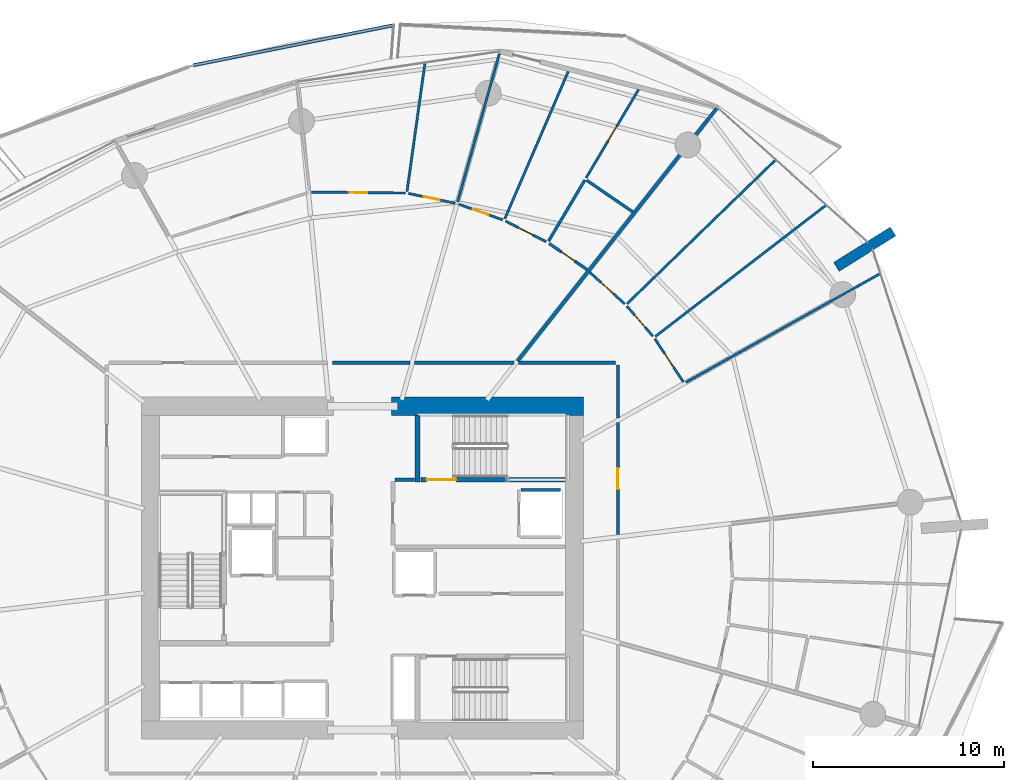
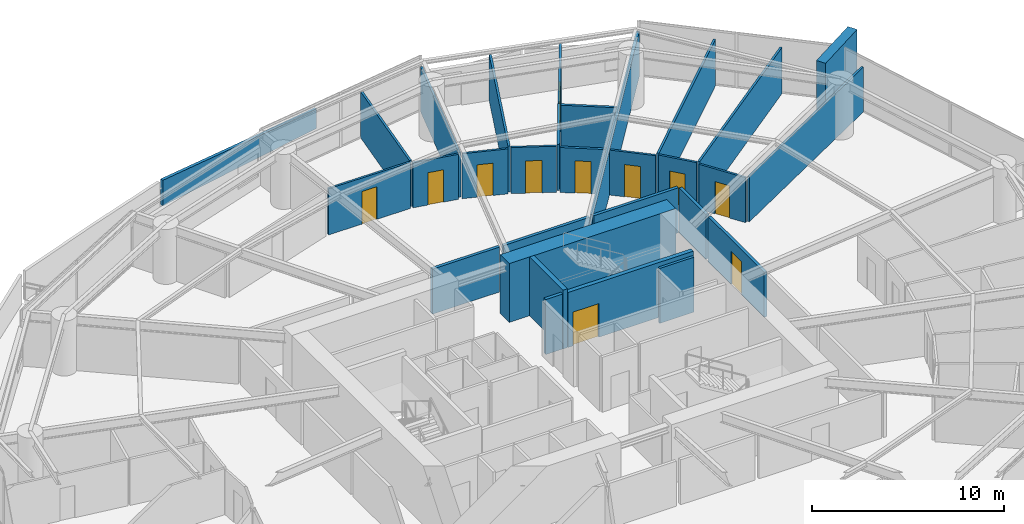
# One storey, part 23 of 31: 30 walls, 11 doors, 11 openings.
"""IFC4 building model written with IfcOpenShell, lengths in metres."""

from ifc_helpers import new_model, si_unit, direction, frame, frame_2d, origin, place, context, subcontext, project, spatial, polyline, rectangle, outline, extrude, material, layer, layer_set, type_object, element, fill, save


model = new_model("IFC4")

# Units and contexts
model_context = context("Model", 3, precision=1e-05, world=origin(), true_north=direction((0.0, 1.0)))
body_context = subcontext(model_context, "Body", "Model", "MODEL_VIEW")
ifc_project = project(units=[si_unit("LENGTHUNIT", "METRE"), si_unit("AREAUNIT", "SQUARE_METRE"), si_unit("VOLUMEUNIT", "CUBIC_METRE"), si_unit("PLANEANGLEUNIT", "RADIAN"), si_unit("MASSUNIT", "GRAM", prefix="KILO")], contexts=[model_context])

# Site, building, storey
site_placement = place(None, origin())
site = spatial("IfcSite", under=ifc_project, at=site_placement, CompositionType="ELEMENT")
building_placement = place(site_placement, origin())
building = spatial("IfcBuilding", under=site, at=building_placement, Name="Kazma Halo Residences", CompositionType="ELEMENT")
storey_placement = place(building_placement, frame((0.0, 0.0, 52.64990234375)))
storey = spatial("IfcBuildingStorey", under=building, at=storey_placement, Name="L12", CompositionType="ELEMENT", Elevation=52.64990234375)

# Walls
ifc_material_1 = material(Name="White Concrete C50/60 Balustrade", Category="concrete")
ifc_layer_1 = layer(ifc_material_1, 0.179931640625)
ifc_layer_set_1 = layer_set([ifc_layer_1], Name="White Concrete C50/60 Balustrade")
wall_type_1 = type_object("IfcWallType", Name="WL-BAL-WAVE-180", PredefinedType="PARAPET", material=ifc_layer_set_1)
wall_1_placement = place(storey_placement, frame((50.06201171875, 70.419921875, 0.0), z_axis=(0.0, 0.0, 1.0), x_axis=(-0.980527969077, -0.19637948431, 0.0)))
element("IfcWall", 1, at=wall_1_placement, inside=storey, type_object=wall_type_1, Name="L12 white wave balustrade wall NNW.1", PredefinedType="PARAPET", context=body_context, shape_type="SweptSolid", body=[
    extrude(outline(polyline([(0.0, 0.0), (10.696533203125, 0.0), (10.69677734375, 1.632080078125), (5.348388671875, 1.418212890625), (0.0, 1.233154296875), (0.0, 0.0)])), frame((0.0, 0.08984375, 0.0), z_axis=(0.0, -1.0, 0.0), x_axis=(1.0, 0.0, 0.0)), (0.0, 0.0, 1.0), 0.179931640625),
])
ifc_material_2 = material(Name="Pale Concrete C60/75", Category="concrete")
ifc_layer_2 = layer(ifc_material_2, 0.550048828125)
ifc_layer_set_2 = layer_set([ifc_layer_2], Name="Pale Concrete C60/75")
wall_type_2 = type_object("IfcWallType", Name="WL-BLADE-550", PredefinedType="SOLIDWALL", material=ifc_layer_set_2)
wall_2_placement = place(storey_placement, frame((73.229736328125, 57.765380859375, 0.0), z_axis=(0.0, 0.0, 1.0), x_axis=(0.848053161125, 0.529911158502, 0.0)))
element("IfcWall", 2, at=wall_2_placement, inside=storey, type_object=wall_type_2, Name="L12 pale concrete structural blade fin wall BW-01", PredefinedType="SOLIDWALL", context=body_context, shape_type="SweptSolid", body=[
    extrude(rectangle(XDim=3.5, YDim=0.550048828125, at=frame_2d((1.75, 0.0))), origin(), (0.0, 0.0, 1.0), 3.75),
])
ifc_material_3 = material(Name="Concrete C80/95", Category="concrete")
ifc_layer_3 = layer(ifc_material_3, 0.949951171875)
ifc_layer_set_3 = layer_set([ifc_layer_3], Name="Concrete C80/95")
wall_type_3 = type_object("IfcWallType", Name="WL-CORE-950", PredefinedType="SHEAR", material=ifc_layer_set_3)
wall_3_placement = place(storey_placement, frame((49.949951171875, 50.47509765625, 0.0), z_axis=(0.0, 0.0, 1.0), x_axis=(1.0, 0.0, 0.0)))
element("IfcWall", 3, at=wall_3_placement, inside=storey, type_object=wall_type_3, Name="L12 central core shear wall NE", PredefinedType="SHEAR", context=body_context, shape_type="SweptSolid", body=[
    extrude(rectangle(XDim=10.050048828125, YDim=0.949951171875, at=frame_2d((5.02490234375, 0.0))), origin(), (0.0, 0.0, 1.0), 3.75),
])
ifc_material_4 = material(Name="Concrete C60/75", Category="concrete")
ifc_layer_4 = layer(ifc_material_4, 0.280029296875)
ifc_layer_set_4 = layer_set([ifc_layer_4], Name="Concrete C60/75")
wall_type_4 = type_object("IfcWallType", Name="WL-CORE-ST-280", PredefinedType="SHEAR", material=ifc_layer_set_4)
wall_4_placement = place(storey_placement, frame((51.31005859375, 46.5, 0.0), z_axis=(0.0, 0.0, 1.0), x_axis=(0.0, 1.0, 0.0)))
element("IfcWall", 4, at=wall_4_placement, inside=storey, type_object=wall_type_4, Name="L12 stairwell bearing wall ST02-W", PredefinedType="SHEAR", context=body_context, shape_type="SweptSolid", body=[
    extrude(rectangle(XDim=3.5, YDim=0.280029296875, at=frame_2d((1.75, 0.0))), origin(), (0.0, 0.0, 1.0), 3.75),
])
ifc_material_5 = material(Name="Acoustic Twin-Stud Gypsum")
ifc_layer_5 = layer(ifc_material_5, 0.179931640625)
ifc_layer_set_5 = layer_set([ifc_layer_5], Name="Acoustic Twin-Stud Gypsum")
wall_type_5 = type_object("IfcWallType", Name="WL-DEM-180", PredefinedType="PARTITIONING", material=ifc_layer_set_5)
wall_5_placement = place(storey_placement, frame((56.542724609375, 52.83642578125, 0.0), z_axis=(0.0, 0.0, 1.0), x_axis=(0.619091569947, 0.785318806614, 0.0)))
element("IfcWall", 5, at=wall_5_placement, inside=storey, type_object=wall_type_5, Name="L12 apartment demising radial wall 01", PredefinedType="PARTITIONING", context=body_context, shape_type="SweptSolid", body=[
    extrude(rectangle(XDim=16.87548828125, YDim=0.179931640625, at=frame_2d((8.437744140625, 0.0))), origin(), (0.0, 0.0, 1.0), 2.8671875),
])
wall_6_placement = place(storey_placement, frame((56.3544921875, 52.75, 0.0), z_axis=(0.0, 0.0, 1.0), x_axis=(-1.0, 0.0, 0.0)))
element("IfcWall", 6, at=wall_6_placement, inside=storey, type_object=wall_type_5, Name="L12 Apartment 1 inner wall 1", PredefinedType="PARTITIONING", context=body_context, shape_type="SweptSolid", body=[
    extrude(rectangle(XDim=5.20263671875, YDim=0.179931640625, at=frame_2d((2.601318359375, 0.0))), origin(), (0.0, 0.0, 1.0), 2.8671875),
])
wall_7_placement = place(storey_placement, frame((50.911865234375, 52.75, 0.0), z_axis=(0.0, 0.0, 1.0), x_axis=(-1.0, 0.0, 0.0)))
element("IfcWall", 7, at=wall_7_placement, inside=storey, type_object=wall_type_5, Name="L12 Apartment 1 inner wall 2", PredefinedType="PARTITIONING", context=body_context, shape_type="SweptSolid", body=[
    extrude(rectangle(XDim=4.064208984375, YDim=0.179931640625, at=frame_2d((2.0322265625, 0.0))), origin(), (0.0, 0.0, 1.0), 2.8671875),
])

# Wall, opening, door
wall_8_placement = place(storey_placement, frame((61.800048828125, 43.75341796875, 0.0), z_axis=(0.0, 0.0, 1.0), x_axis=(0.0, 1.0, 0.0)))
wall_8 = element("IfcWall", 8, at=wall_8_placement, inside=storey, type_object=wall_type_5, Name="L12 Apartment 4 entrance corridor wall", PredefinedType="PARTITIONING", context=body_context, shape_type="SweptSolid", body=[
    extrude(rectangle(XDim=5.85498046875, YDim=0.179931640625, at=frame_2d((2.927490234375, 0.0))), origin(), (0.0, 0.0, 1.0), 2.8671875),
])
opening_1_placement = place(wall_8_placement, frame((2.377685546875, 0.0, 0.0)))
opening_1 = element("IfcOpeningElement", 9, at=opening_1_placement, cuts=wall_8, Name="Opening DA-1100", PredefinedType="OPENING", context=body_context, shape_type="SweptSolid", body=[
    extrude(rectangle(XDim=1.10009765625, YDim=2.10009765625, at=frame_2d((0.550048828125, 1.050048828125))), frame((0.0, 0.099853515625, 0.0), z_axis=(0.0, -1.0, 0.0), x_axis=(1.0, 0.0, 0.0)), (0.0, 0.0, 1.0), 0.199951171875),
])
ifc_material_6 = material(Name="Acoustic Walnut Fire Leaf")
door_type_1 = type_object("IfcDoorType", Name="DR-FD60-1100", OperationType="NOTDEFINED", PredefinedType="DOOR", material=ifc_material_6)
door_1_placement = place(opening_1_placement, origin())
door_1 = element("IfcDoor", 10, at=door_1_placement, inside=storey, type_object=door_type_1, Name="L12 Apartment 4 entrance fire door", OperationType="SINGLE_SWING_LEFT", OverallHeight=2.10009765625, OverallWidth=1.10009765625, PredefinedType="DOOR", context=body_context, shape_type="SweptSolid", body=[
    extrude(rectangle(XDim=1.10009765625, YDim=2.10009765625, at=frame_2d((0.550048828125, 1.050048828125))), frame((0.0, 0.02490234375, 0.0), z_axis=(0.0, -1.0, 0.0), x_axis=(1.0, 0.0, 0.0)), (0.0, 0.0, 1.0), 0.050048828125),
])
fill(opening_1, door_1)

# Walls
wall_9_placement = place(storey_placement, frame((61.800048828125, 49.848388671875, 0.0), z_axis=(0.0, 0.0, 1.0), x_axis=(0.0, 1.0, 0.0)))
element("IfcWall", 11, at=wall_9_placement, inside=storey, type_object=wall_type_5, Name="L12 Apartment 4 inner wall 0", PredefinedType="PARTITIONING", context=body_context, shape_type="SweptSolid", body=[
    extrude(rectangle(XDim=2.781494140625, YDim=0.179931640625, at=frame_2d((1.390625, 0.0))), origin(), (0.0, 0.0, 1.0), 2.8671875),
])
wall_10_placement = place(storey_placement, frame((61.679931640625, 52.75, 0.0), z_axis=(0.0, 0.0, 1.0), x_axis=(-1.0, 0.0, 0.0)))
element("IfcWall", 12, at=wall_10_placement, inside=storey, type_object=wall_type_5, Name="L12 Apartment 4 inner wall 0", PredefinedType="PARTITIONING", context=body_context, shape_type="SweptSolid", body=[
    extrude(rectangle(XDim=5.08544921875, YDim=0.179931640625, at=frame_2d((2.542724609375, 0.0))), origin(), (0.0, 0.0, 1.0), 2.8671875),
])
ifc_material_7 = material(Name="Fire-Rated Blockwork Masonry", Category="masonry")
ifc_layer_6 = layer(ifc_material_7, 0.199951171875)
ifc_layer_set_6 = layer_set([ifc_layer_6], Name="Fire-Rated Blockwork Masonry")
wall_type_6 = type_object("IfcWallType", Name="WL-FLB-200", PredefinedType="PARTITIONING", material=ifc_layer_set_6)
wall_11_placement = place(storey_placement, frame((56.719970703125, 46.080078125, 0.0), z_axis=(0.0, 0.0, 1.0), x_axis=(1.0, 0.0, 0.0)))
element("IfcWall", 13, at=wall_11_placement, inside=storey, type_object=wall_type_6, Name="L12 lift shaft FL-02 side wall N", PredefinedType="PARTITIONING", context=body_context, shape_type="SweptSolid", body=[
    extrude(rectangle(XDim=2.06005859375, YDim=0.159912109375, at=frame_2d((1.030029296875, 0.0))), origin(), (0.0, 0.0, 1.0), 3.5),
])
wall_12_placement = place(storey_placement, frame((50.139892578125, 46.6201171875, 0.0), z_axis=(0.0, 0.0, 1.0), x_axis=(1.0, 0.0, 0.0)))
element("IfcWall", 14, at=wall_12_placement, inside=storey, type_object=wall_type_6, Name="L12 east firefighting lobby north closure wall", PredefinedType="PARTITIONING", context=body_context, shape_type="SweptSolid", body=[
    extrude(rectangle(XDim=1.02001953125, YDim=0.199951171875, at=frame_2d((0.510009765625, 0.0))), origin(), (0.0, 0.0, 1.0), 3.5),
])

# Wall, opening, door
ifc_material_8 = material(Name="Gypsum Plasterboard Partition")
ifc_layer_7 = layer(ifc_material_8, 0.125)
ifc_layer_set_7 = layer_set([ifc_layer_7], Name="Gypsum Plasterboard Partition")
wall_type_7 = type_object("IfcWallType", Name="WL-PART-125", PredefinedType="PARTITIONING", material=ifc_layer_set_7)
wall_13_placement = place(storey_placement, frame((60.135009765625, 62.427490234375, 0.0), z_axis=(0.0, 0.0, 1.0), x_axis=(0.510709816394, 0.859753152619, 0.0)))
wall_13 = element("IfcWall", 15, at=wall_13_placement, inside=storey, type_object=wall_type_7, Name="L12 Apartment 1 Household Store Room partition wall", PredefinedType="PARTITIONING", context=body_context, shape_type="SweptSolid", body=[
    extrude(rectangle(XDim=5.37451171875, YDim=0.125, at=frame_2d((2.687255859375, 0.0))), origin(), (0.0, 0.0, 1.0), 2.940185546875),
])
opening_2_placement = place(wall_13_placement, frame((2.262451171875, 0.0, 0.0)))
opening_2 = element("IfcOpeningElement", 16, at=opening_2_placement, cuts=wall_13, Name="Opening DB-900", PredefinedType="OPENING", context=body_context, shape_type="SweptSolid", body=[
    extrude(rectangle(XDim=0.85009765625, YDim=2.06005859375, at=frame_2d((0.425048828125, 1.030029296875))), frame((0.0, 0.072509765625, 0.0), z_axis=(0.0, -1.0, 0.0), x_axis=(1.0, 0.0, 0.0)), (0.0, 0.0, 1.0), 0.14501953125),
])
ifc_material_9 = material(Name="Moisture-Sealed Timber Leaf", Category="wood")
door_type_2 = type_object("IfcDoorType", Name="DR-BTH-900", OperationType="NOTDEFINED", PredefinedType="DOOR", material=ifc_material_9)
door_2_placement = place(opening_2_placement, origin())
door_2 = element("IfcDoor", 17, at=door_2_placement, inside=storey, type_object=door_type_2, Name="L12 Apartment 1 Household Store Room door", OperationType="SINGLE_SWING_LEFT", OverallHeight=2.06005859375, OverallWidth=0.85009765625, PredefinedType="DOOR", context=body_context, shape_type="SweptSolid", body=[
    extrude(rectangle(XDim=0.85009765625, YDim=2.06005859375, at=frame_2d((0.425048828125, 1.030029296875))), frame((0.0, 0.02490234375, 0.0), z_axis=(0.0, -1.0, 0.0), x_axis=(1.0, 0.0, 0.0)), (0.0, 0.0, 1.0), 0.050048828125),
])
fill(opening_2, door_2)

# Wall
wall_14_placement = place(storey_placement, frame((55.877197265625, 60.285400390625, 0.0), z_axis=(0.0, 0.0, 1.0), x_axis=(0.395645788366, 0.918403184962, 0.0)))
element("IfcWall", 18, at=wall_14_placement, inside=storey, type_object=wall_type_7, Name="L12 Apartment 1 suite divider 1", PredefinedType="PARTITIONING", context=body_context, shape_type="SweptSolid", body=[
    extrude(rectangle(XDim=8.393310546875, YDim=0.125, at=frame_2d((4.19677734375, 0.0))), origin(), (0.0, 0.0, 1.0), 2.940185546875),
])

# Wall, opening, door
wall_15_placement = place(storey_placement, frame((58.04248046875, 59.0810546875, 0.0), z_axis=(0.0, 0.0, 1.0), x_axis=(-0.890948282324, 0.454104787712, 0.0)))
wall_15 = element("IfcWall", 19, at=wall_15_placement, inside=storey, type_object=wall_type_7, Name="L12 Apartment 1 Gourmet Kitchen hall wall", PredefinedType="PARTITIONING", context=body_context, shape_type="SweptSolid", body=[
    extrude(rectangle(XDim=2.390380859375, YDim=0.125, at=frame_2d((1.1953125, 0.0))), origin(), (0.0, 0.0, 1.0), 2.940185546875),
])
opening_3_placement = place(wall_15_placement, frame((0.77001953125, 0.0, 0.0)))
opening_3 = element("IfcOpeningElement", 20, at=opening_3_placement, cuts=wall_15, Name="Opening DB-900", PredefinedType="OPENING", context=body_context, shape_type="SweptSolid", body=[
    extrude(rectangle(XDim=0.85009765625, YDim=2.06005859375, at=frame_2d((0.425048828125, 1.030029296875))), frame((0.0, 0.072509765625, 0.0), z_axis=(0.0, -1.0, 0.0), x_axis=(1.0, 0.0, 0.0)), (0.0, 0.0, 1.0), 0.14501953125),
])
door_3_placement = place(opening_3_placement, origin())
door_3 = element("IfcDoor", 21, at=door_3_placement, inside=storey, type_object=door_type_2, Name="L12 Apartment 1 Gourmet Kitchen door", OperationType="SINGLE_SWING_RIGHT", OverallHeight=2.06005859375, OverallWidth=0.85009765625, PredefinedType="DOOR", context=body_context, shape_type="SweptSolid", body=[
    extrude(rectangle(XDim=0.85009765625, YDim=2.06005859375, at=frame_2d((0.425048828125, 1.030029296875))), frame((0.0, 0.02490234375, 0.0), z_axis=(0.0, -1.0, 0.0), x_axis=(1.0, 0.0, 0.0)), (0.0, 0.0, 1.0), 0.050048828125),
])
fill(opening_3, door_3)

wall_16_placement = place(storey_placement, frame((55.76611328125, 60.2294921875, 0.0), z_axis=(0.0, 0.0, 1.0), x_axis=(-0.942466522186, 0.334300545258, 0.0)))
wall_16 = element("IfcWall", 22, at=wall_16_placement, inside=storey, type_object=wall_type_7, Name="L12 Apartment 1 Primary Bedroom hall wall", PredefinedType="PARTITIONING", context=body_context, shape_type="SweptSolid", body=[
    extrude(rectangle(XDim=2.431884765625, YDim=0.125, at=frame_2d((1.2158203125, 0.0))), origin(), (0.0, 0.0, 1.0), 2.8671875),
])
opening_4_placement = place(wall_16_placement, frame((0.791015625, 0.0, 0.0)))
opening_4 = element("IfcOpeningElement", 23, at=opening_4_placement, cuts=wall_16, Name="Opening DB-900", PredefinedType="OPENING", context=body_context, shape_type="SweptSolid", body=[
    extrude(rectangle(XDim=0.85009765625, YDim=2.06005859375, at=frame_2d((0.425048828125, 1.030029296875))), frame((0.0, 0.072509765625, 0.0), z_axis=(0.0, -1.0, 0.0), x_axis=(1.0, 0.0, 0.0)), (0.0, 0.0, 1.0), 0.14501953125),
])
door_4_placement = place(opening_4_placement, origin())
door_4 = element("IfcDoor", 24, at=door_4_placement, inside=storey, type_object=door_type_2, Name="L12 Apartment 1 Primary Bedroom door", OperationType="SINGLE_SWING_LEFT", OverallHeight=2.06005859375, OverallWidth=0.85009765625, PredefinedType="DOOR", context=body_context, shape_type="SweptSolid", body=[
    extrude(rectangle(XDim=0.85009765625, YDim=2.06005859375, at=frame_2d((0.425048828125, 1.030029296875))), frame((0.0, 0.02490234375, 0.0), z_axis=(0.0, -1.0, 0.0), x_axis=(1.0, 0.0, 0.0)), (0.0, 0.0, 1.0), 0.050048828125),
])
fill(opening_4, door_4)

# Walls
wall_17_placement = place(storey_placement, frame((53.406982421875, 61.172119140625, 0.0), z_axis=(0.0, 0.0, 1.0), x_axis=(0.271455844128, 0.96245089469, 0.0)))
element("IfcWall", 25, at=wall_17_placement, inside=storey, type_object=wall_type_7, Name="L12 Apartment 1 radial partition 2", PredefinedType="PARTITIONING", context=body_context, shape_type="SweptSolid", body=[
    extrude(rectangle(XDim=8.052001953125, YDim=0.125, at=frame_2d((4.02587890625, 0.0))), origin(), (0.0, 0.0, 1.0), 2.8671875),
])
wall_18_placement = place(storey_placement, frame((50.7587890625, 61.718017578125, 0.0), z_axis=(0.0, 0.0, 1.0), x_axis=(0.138600482332, 0.990348376228, 0.0)))
element("IfcWall", 26, at=wall_18_placement, inside=storey, type_object=wall_type_7, Name="L12 Apartment 1 mid-bay wall 2", PredefinedType="PARTITIONING", context=body_context, shape_type="SweptSolid", body=[
    extrude(rectangle(XDim=6.774658203125, YDim=0.125, at=frame_2d((3.38720703125, 0.0))), origin(), (0.0, 0.0, 1.0), 2.940185546875),
])

# Wall, opening, door
wall_19_placement = place(storey_placement, frame((53.281982421875, 61.096435546875, 0.0), z_axis=(0.0, 0.0, 1.0), x_axis=(-0.978666206656, 0.205456700911, 0.0)))
wall_19 = element("IfcWall", 27, at=wall_19_placement, inside=storey, type_object=wall_type_7, Name="L12 Apartment 1 Primary Dressing Wardrobe hall wall", PredefinedType="PARTITIONING", context=body_context, shape_type="SweptSolid", body=[
    extrude(rectangle(XDim=2.5107421875, YDim=0.125, at=frame_2d((1.25537109375, 0.0))), origin(), (0.0, 0.0, 1.0), 2.8671875),
])
opening_5_placement = place(wall_19_placement, frame((0.830322265625, 0.0, 0.0)))
opening_5 = element("IfcOpeningElement", 28, at=opening_5_placement, cuts=wall_19, Name="Opening DB-900", PredefinedType="OPENING", context=body_context, shape_type="SweptSolid", body=[
    extrude(rectangle(XDim=0.85009765625, YDim=2.06005859375, at=frame_2d((0.425048828125, 1.030029296875))), frame((0.0, 0.072509765625, 0.0), z_axis=(0.0, -1.0, 0.0), x_axis=(1.0, 0.0, 0.0)), (0.0, 0.0, 1.0), 0.14501953125),
])
door_5_placement = place(opening_5_placement, origin())
door_5 = element("IfcDoor", 29, at=door_5_placement, inside=storey, type_object=door_type_2, Name="L12 Apartment 1 Primary Dressing Wardrobe door", OperationType="SINGLE_SWING_LEFT", OverallHeight=2.06005859375, OverallWidth=0.85009765625, PredefinedType="DOOR", context=body_context, shape_type="SweptSolid", body=[
    extrude(rectangle(XDim=0.85009765625, YDim=2.06005859375, at=frame_2d((0.425048828125, 1.030029296875))), frame((0.0, 0.02490234375, 0.0), z_axis=(0.0, -1.0, 0.0), x_axis=(1.0, 0.0, 0.0)), (0.0, 0.0, 1.0), 0.050048828125),
])
fill(opening_5, door_5)

wall_20_placement = place(storey_placement, frame((50.66650390625, 61.629638671875, 0.0), z_axis=(0.0, 0.0, 1.0), x_axis=(-0.999944126831, 0.010570866405, 0.0)))
wall_20 = element("IfcWall", 30, at=wall_20_placement, inside=storey, type_object=wall_type_7, Name="L12 Apartment 1 Secondary Master Bedroom hall wall", PredefinedType="PARTITIONING", context=body_context, shape_type="SweptSolid", body=[
    extrude(rectangle(XDim=4.896240234375, YDim=0.125, at=frame_2d((2.4482421875, 0.0))), origin(), (0.0, 0.0, 1.0), 2.940185546875),
])
opening_6_placement = place(wall_20_placement, frame((1.998046875, 0.0, 0.0)))
opening_6 = element("IfcOpeningElement", 31, at=opening_6_placement, cuts=wall_20, Name="Opening DI-950", PredefinedType="OPENING", context=body_context, shape_type="SweptSolid", body=[
    extrude(rectangle(XDim=0.89990234375, YDim=2.080078125, at=frame_2d((0.449951171875, 1.0400390625))), frame((0.0, 0.072509765625, 0.0), z_axis=(0.0, -1.0, 0.0), x_axis=(1.0, 0.0, 0.0)), (0.0, 0.0, 1.0), 0.14501953125),
])
ifc_material_10 = material(Name="Timber Veneer Flush Leaf", Category="wood")
door_type_3 = type_object("IfcDoorType", Name="DR-INT-950", OperationType="NOTDEFINED", PredefinedType="DOOR", material=ifc_material_10)
door_6_placement = place(opening_6_placement, origin())
door_6 = element("IfcDoor", 32, at=door_6_placement, inside=storey, type_object=door_type_3, Name="L12 Apartment 1 Secondary Master Bedroom door", OperationType="SINGLE_SWING_RIGHT", OverallHeight=2.080078125, OverallWidth=0.89990234375, PredefinedType="DOOR", context=body_context, shape_type="SweptSolid", body=[
    extrude(rectangle(XDim=0.89990234375, YDim=2.080078125, at=frame_2d((0.449951171875, 1.0400390625))), frame((0.0, 0.02490234375, 0.0), z_axis=(0.0, -1.0, 0.0), x_axis=(1.0, 0.0, 0.0)), (0.0, 0.0, 1.0), 0.050048828125),
])
fill(opening_6, door_6)

# Walls
wall_21_placement = place(storey_placement, frame((65.3564453125, 51.72021484375, 0.0), z_axis=(0.0, 0.0, 1.0), x_axis=(0.872502798549, 0.488609114246, 0.0)))
element("IfcWall", 33, at=wall_21_placement, inside=storey, type_object=wall_type_7, Name="L12 Apartment 4 radial partition 0", PredefinedType="PARTITIONING", context=body_context, shape_type="SweptSolid", body=[
    extrude(rectangle(XDim=11.645751953125, YDim=0.125, at=frame_2d((5.82275390625, 0.0))), origin(), (0.0, 0.0, 1.0), 2.8671875),
])
wall_22_placement = place(storey_placement, frame((63.75830078125, 54.124755859375, 0.0), z_axis=(0.0, 0.0, 1.0), x_axis=(0.792564305335, 0.609788341893, 0.0)))
element("IfcWall", 34, at=wall_22_placement, inside=storey, type_object=wall_type_7, Name="L12 Apartment 4 bay wall 1 0", PredefinedType="PARTITIONING", context=body_context, shape_type="SweptSolid", body=[
    extrude(rectangle(XDim=11.253662109375, YDim=0.125, at=frame_2d((5.626953125, 0.0))), origin(), (0.0, 0.0, 1.0), 2.940185546875),
])
wall_23_placement = place(storey_placement, frame((62.278564453125, 55.8369140625, 0.0), z_axis=(0.0, 0.0, 1.0), x_axis=(0.718126223804, 0.695912872912, 0.0)))
element("IfcWall", 35, at=wall_23_placement, inside=storey, type_object=wall_type_7, Name="L12 Apartment 4 bay wall 2 0", PredefinedType="PARTITIONING", context=body_context, shape_type="SweptSolid", body=[
    extrude(rectangle(XDim=10.803955078125, YDim=0.125, at=frame_2d((5.40185546875, 0.0))), origin(), (0.0, 0.0, 1.0), 2.940185546875),
])

# Wall, opening, door
wall_24_placement = place(storey_placement, frame((65.22509765625, 51.738037109375, 0.0), z_axis=(0.0, 0.0, 1.0), x_axis=(-0.550602750552, 0.83476739939, 0.0)))
wall_24 = element("IfcWall", 36, at=wall_24_placement, inside=storey, type_object=wall_type_7, Name="L12 Apartment 4 East Master Bedroom hall wall", PredefinedType="PARTITIONING", context=body_context, shape_type="SweptSolid", body=[
    extrude(rectangle(XDim=2.713134765625, YDim=0.125, at=frame_2d((1.3564453125, 0.0))), origin(), (0.0, 0.0, 1.0), 2.8671875),
])
opening_7_placement = place(wall_24_placement, frame((0.931640625, 0.0, 0.0)))
opening_7 = element("IfcOpeningElement", 37, at=opening_7_placement, cuts=wall_24, Name="Opening DB-900", PredefinedType="OPENING", context=body_context, shape_type="SweptSolid", body=[
    extrude(rectangle(XDim=0.85009765625, YDim=2.06005859375, at=frame_2d((0.425048828125, 1.030029296875))), frame((0.0, 0.072509765625, 0.0), z_axis=(0.0, -1.0, 0.0), x_axis=(1.0, 0.0, 0.0)), (0.0, 0.0, 1.0), 0.14501953125),
])
door_7_placement = place(opening_7_placement, origin())
door_7 = element("IfcDoor", 38, at=door_7_placement, inside=storey, type_object=door_type_2, Name="L12 Apartment 4 East Master Bedroom door", OperationType="SINGLE_SWING_RIGHT", OverallHeight=2.06005859375, OverallWidth=0.85009765625, PredefinedType="DOOR", context=body_context, shape_type="SweptSolid", body=[
    extrude(rectangle(XDim=0.85009765625, YDim=2.06005859375, at=frame_2d((0.425048828125, 1.030029296875))), frame((0.0, 0.02490234375, 0.0), z_axis=(0.0, -1.0, 0.0), x_axis=(1.0, 0.0, 0.0)), (0.0, 0.0, 1.0), 0.050048828125),
])
fill(opening_7, door_7)

wall_25_placement = place(storey_placement, frame((63.634765625, 54.13037109375, 0.0), z_axis=(0.0, 0.0, 1.0), x_axis=(-0.653975151298, 0.756516028571, 0.0)))
wall_25 = element("IfcWall", 39, at=wall_25_placement, inside=storey, type_object=wall_type_7, Name="L12 Apartment 4 West Dressing Wardrobe hall wall", PredefinedType="PARTITIONING", context=body_context, shape_type="SweptSolid", body=[
    extrude(rectangle(XDim=2.0927734375, YDim=0.125, at=frame_2d((1.04638671875, 0.0))), origin(), (0.0, 0.0, 1.0), 2.940185546875),
])
opening_8_placement = place(wall_25_placement, frame((0.621337890625, 0.0, 0.0)))
opening_8 = element("IfcOpeningElement", 40, at=opening_8_placement, cuts=wall_25, Name="Opening DB-900", PredefinedType="OPENING", context=body_context, shape_type="SweptSolid", body=[
    extrude(rectangle(XDim=0.85009765625, YDim=2.06005859375, at=frame_2d((0.425048828125, 1.030029296875))), frame((0.0, 0.072509765625, 0.0), z_axis=(0.0, -1.0, 0.0), x_axis=(1.0, 0.0, 0.0)), (0.0, 0.0, 1.0), 0.14501953125),
])
door_8_placement = place(opening_8_placement, origin())
door_8 = element("IfcDoor", 41, at=door_8_placement, inside=storey, type_object=door_type_2, Name="L12 Apartment 4 West Dressing Wardrobe door", OperationType="SINGLE_SWING_LEFT", OverallHeight=2.06005859375, OverallWidth=0.85009765625, PredefinedType="DOOR", context=body_context, shape_type="SweptSolid", body=[
    extrude(rectangle(XDim=0.85009765625, YDim=2.06005859375, at=frame_2d((0.425048828125, 1.030029296875))), frame((0.0, 0.02490234375, 0.0), z_axis=(0.0, -1.0, 0.0), x_axis=(1.0, 0.0, 0.0)), (0.0, 0.0, 1.0), 0.050048828125),
])
fill(opening_8, door_8)

wall_26_placement = place(storey_placement, frame((62.154541015625, 55.827880859375, 0.0), z_axis=(0.0, 0.0, 1.0), x_axis=(-0.742299992765, 0.670067698626, 0.0)))
wall_26 = element("IfcWall", 42, at=wall_26_placement, inside=storey, type_object=wall_type_7, Name="L12 Apartment 4 North Bedroom hall wall", PredefinedType="PARTITIONING", context=body_context, shape_type="SweptSolid", body=[
    extrude(rectangle(XDim=2.48095703125, YDim=0.125, at=frame_2d((1.240478515625, 0.0))), origin(), (0.0, 0.0, 1.0), 2.8671875),
])
opening_9_placement = place(wall_26_placement, frame((0.8154296875, 0.0, 0.0)))
opening_9 = element("IfcOpeningElement", 43, at=opening_9_placement, cuts=wall_26, Name="Opening DB-900", PredefinedType="OPENING", context=body_context, shape_type="SweptSolid", body=[
    extrude(rectangle(XDim=0.85009765625, YDim=2.06005859375, at=frame_2d((0.425048828125, 1.030029296875))), frame((0.0, 0.072509765625, 0.0), z_axis=(0.0, -1.0, 0.0), x_axis=(1.0, 0.0, 0.0)), (0.0, 0.0, 1.0), 0.14501953125),
])
door_9_placement = place(opening_9_placement, origin())
door_9 = element("IfcDoor", 44, at=door_9_placement, inside=storey, type_object=door_type_2, Name="L12 Apartment 4 North Bedroom door", OperationType="SINGLE_SWING_RIGHT", OverallHeight=2.06005859375, OverallWidth=0.85009765625, PredefinedType="DOOR", context=body_context, shape_type="SweptSolid", body=[
    extrude(rectangle(XDim=0.85009765625, YDim=2.06005859375, at=frame_2d((0.425048828125, 1.030029296875))), frame((0.0, 0.02490234375, 0.0), z_axis=(0.0, -1.0, 0.0), x_axis=(1.0, 0.0, 0.0)), (0.0, 0.0, 1.0), 0.050048828125),
])
fill(opening_9, door_9)

ifc_material_11 = material(Name="Concrete C50/60", Category="concrete")
ifc_layer_8 = layer(ifc_material_11, 0.25)
ifc_layer_set_8 = layer_set([ifc_layer_8], Name="Concrete C50/60")
wall_type_8 = type_object("IfcWallType", Name="WL-SHF-250", PredefinedType="SOLIDWALL", material=ifc_layer_set_8)
wall_27_placement = place(storey_placement, frame((51.47998046875, 46.6201171875, 0.0), z_axis=(0.0, 0.0, 1.0), x_axis=(1.0, 0.0, 0.0)))
wall_27 = element("IfcWall", 45, at=wall_27_placement, inside=storey, type_object=wall_type_8, Name="L12 exit stair ST-02 enclosure wall", PredefinedType="SOLIDWALL", context=body_context, shape_type="SweptSolid", body=[
    extrude(rectangle(XDim=7.5400390625, YDim=0.25, at=frame_2d((3.77001953125, 0.0))), origin(), (0.0, 0.0, 1.0), 3.5),
])
opening_10_placement = place(wall_27_placement, frame((0.300048828125, 0.0, 0.0)))
opening_10 = element("IfcOpeningElement", 46, at=opening_10_placement, cuts=wall_27, Name="Opening D-ST2", PredefinedType="OPENING", context=body_context, shape_type="SweptSolid", body=[
    extrude(rectangle(XDim=1.550048828125, YDim=2.14990234375, at=frame_2d((0.77490234375, 1.074951171875))), frame((0.0, 0.135009765625, 0.0), z_axis=(0.0, -1.0, 0.0), x_axis=(1.0, 0.0, 0.0)), (0.0, 0.0, 1.0), 0.27001953125),
])
ifc_material_12 = material(Name="Fire-Rated Double Steel Leaf", Category="steel")
door_type_4 = type_object("IfcDoorType", Name="DR-FD90-1550", OperationType="NOTDEFINED", PredefinedType="DOOR", material=ifc_material_12)
door_10_placement = place(opening_10_placement, origin())
door_10 = element("IfcDoor", 47, at=door_10_placement, inside=storey, type_object=door_type_4, Name="L12 exit stair ST-02 fire door", OperationType="DOUBLE_DOOR_SINGLE_SWING", OverallHeight=2.14990234375, OverallWidth=1.550048828125, PredefinedType="DOOR", context=body_context, shape_type="SweptSolid", body=[
    extrude(rectangle(XDim=1.550048828125, YDim=2.14990234375, at=frame_2d((0.77490234375, 1.074951171875))), frame((0.0, 0.02490234375, 0.0), z_axis=(0.0, -1.0, 0.0), x_axis=(1.0, 0.0, 0.0)), (0.0, 0.0, 1.0), 0.050048828125),
])
fill(opening_10, door_10)

ifc_material_13 = material(Name="Moisture-Resistant Gypsum")
ifc_layer_9 = layer(ifc_material_13, 0.14990234375)
ifc_layer_set_9 = layer_set([ifc_layer_9], Name="Moisture-Resistant Gypsum")
wall_type_9 = type_object("IfcWallType", Name="WL-WET-150", PredefinedType="PARTITIONING", material=ifc_layer_set_9)
wall_28_placement = place(storey_placement, frame((60.18798828125, 57.62158203125, 0.0), z_axis=(0.0, 0.0, 1.0), x_axis=(-0.824304321031, 0.566146965309, 0.0)))
wall_28 = element("IfcWall", 48, at=wall_28_placement, inside=storey, type_object=wall_type_9, Name="L12 Apartment 1 Guest Bathroom hall wall", PredefinedType="PARTITIONING", context=body_context, shape_type="SweptSolid", body=[
    extrude(rectangle(XDim=2.415283203125, YDim=0.14990234375, at=frame_2d((1.20751953125, 0.0))), origin(), (0.0, 0.0, 1.0), 2.8671875),
])
opening_11_placement = place(wall_28_placement, frame((0.78271484375, 0.0, 0.0)))
opening_11 = element("IfcOpeningElement", 49, at=opening_11_placement, cuts=wall_28, Name="Opening DB-900", PredefinedType="OPENING", context=body_context, shape_type="SweptSolid", body=[
    extrude(rectangle(XDim=0.85009765625, YDim=2.06005859375, at=frame_2d((0.425048828125, 1.030029296875))), frame((0.0, 0.0849609375, 0.0), z_axis=(0.0, -1.0, 0.0), x_axis=(1.0, 0.0, 0.0)), (0.0, 0.0, 1.0), 0.169921875),
])
door_11_placement = place(opening_11_placement, origin())
door_11 = element("IfcDoor", 50, at=door_11_placement, inside=storey, type_object=door_type_2, Name="L12 Apartment 1 Guest Bathroom door", OperationType="SINGLE_SWING_RIGHT", OverallHeight=2.06005859375, OverallWidth=0.85009765625, PredefinedType="DOOR", context=body_context, shape_type="SweptSolid", body=[
    extrude(rectangle(XDim=0.85009765625, YDim=2.06005859375, at=frame_2d((0.425048828125, 1.030029296875))), frame((0.0, 0.02490234375, 0.0), z_axis=(0.0, -1.0, 0.0), x_axis=(1.0, 0.0, 0.0)), (0.0, 0.0, 1.0), 0.050048828125),
])
fill(opening_11, door_11)

# Walls
wall_29_placement = place(storey_placement, frame((62.571533203125, 60.64501953125, 0.0), z_axis=(0.0, 0.0, 1.0), x_axis=(-0.824322204606, 0.566120926123, 0.0)))
element("IfcWall", 51, at=wall_29_placement, inside=storey, type_object=wall_type_9, Name="L12 Apartment 1 Guest Bathroom back wall", PredefinedType="PARTITIONING", context=body_context, shape_type="SweptSolid", body=[
    extrude(rectangle(XDim=2.921630859375, YDim=0.14990234375, at=frame_2d((1.4609375, 0.0))), origin(), (0.0, 0.0, 1.0), 2.8671875),
])
wall_30_placement = place(storey_placement, frame((58.168701171875, 59.117431640625, 0.0), z_axis=(0.0, 0.0, 1.0), x_axis=(0.510726768545, 0.859743082491, 0.0)))
element("IfcWall", 52, at=wall_30_placement, inside=storey, type_object=wall_type_9, Name="L12 Apartment 1 Guest Bathroom side wall", PredefinedType="PARTITIONING", context=body_context, shape_type="SweptSolid", body=[
    extrude(rectangle(XDim=3.719970703125, YDim=0.14990234375, at=frame_2d((1.85986328125, 0.0))), origin(), (0.0, 0.0, 1.0), 2.940185546875),
])

save(model, "model.ifc")
